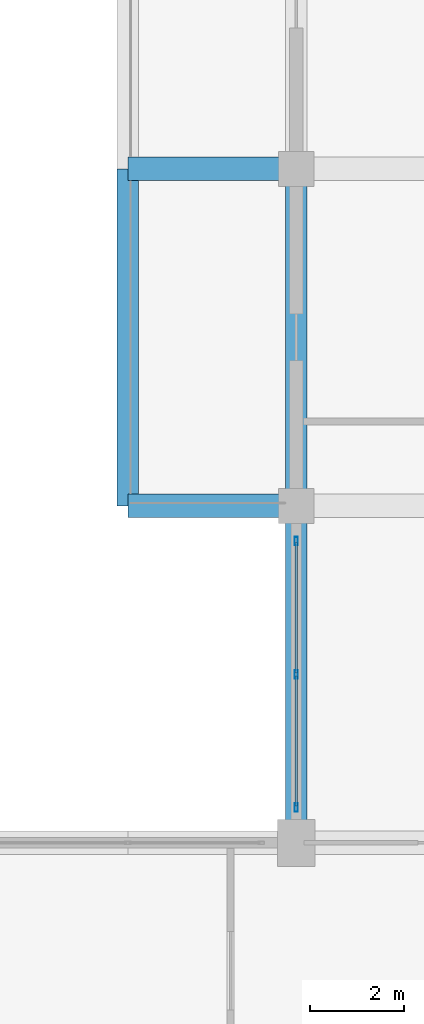
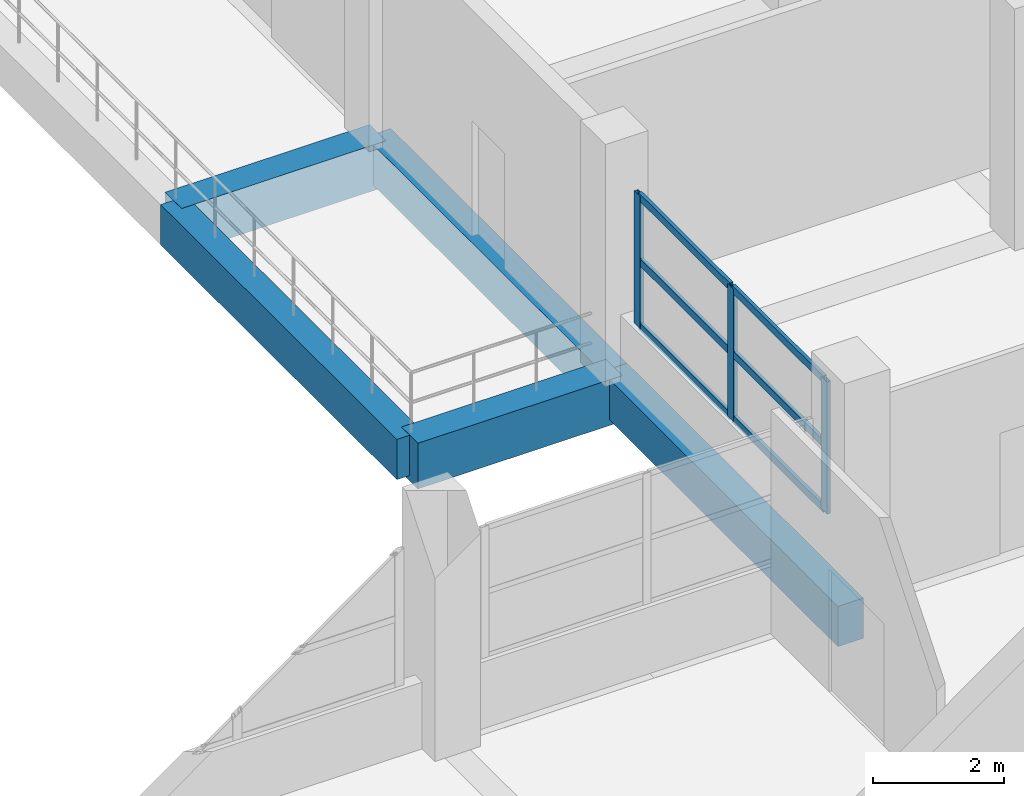
# One storey, part 16 of 141: 9 members, 5 beams, 1 element without a shape of its own.
"""IFC4 building model written with IfcOpenShell, lengths in metres."""

from ifc_helpers import new_model, si_unit, direction, frame, origin, origin_2d, place, context, subcontext, project, spatial, rectangle, hollow_rectangle, extrude, material, layer, layer_set, material_profile, profile_set, type_object, element, aggregate, save


model = new_model("IFC4")

# Units and contexts
model_context = context("Model", 3, precision=1e-05, world=origin(), true_north=direction((0.0, 1.0)))
body_context = subcontext(model_context, "Body", "Model", "MODEL_VIEW")
ifc_project = project(units=[si_unit("LENGTHUNIT", "METRE"), si_unit("AREAUNIT", "SQUARE_METRE"), si_unit("VOLUMEUNIT", "CUBIC_METRE"), si_unit("PLANEANGLEUNIT", "RADIAN"), si_unit("MASSUNIT", "GRAM", prefix="KILO")], contexts=[model_context])

# Site, building, storey
site_placement = place(None, origin())
site = spatial("IfcSite", under=ifc_project, at=site_placement, CompositionType="ELEMENT")
building_placement = place(site_placement, origin())
building = spatial("IfcBuilding", under=site, at=building_placement, Name="Seraya Terrace Polytechnic", CompositionType="ELEMENT")
storey_placement = place(building_placement, frame((0.0, 0.0, 14.39990234375)))
storey = spatial("IfcBuildingStorey", under=building, at=storey_placement, Name="L03", CompositionType="ELEMENT", Elevation=14.39990234375)

# Beams
ifc_material_1 = material(Name="Concrete C40/50", Category="concrete")
ifc_material_profile_1 = material_profile(ifc_material_1, rectangle(XDim=0.5, YDim=0.85009765625, at=origin_2d()), Name="RC 500x850")
ifc_profile_set_1 = profile_set([ifc_material_profile_1], Name="Concrete C40/50")
beam_type_1 = type_object("IfcBeamType", Name="BM-05", PredefinedType="BEAM", material=ifc_profile_set_1)
for number, where, z_axis, x_axis, name in (
    (1, (10.800048828125, 36.0, -0.4248046875), (1.0, 0.0, 0.0), (0.0, 1.0, 0.0), "Beam BM-05 L03 X (10.8..14.4, 36.0)"),
    (2, (10.800048828125, 43.199951171875, -0.4248046875), (1.0, 0.0, 0.0), (0.0, 1.0, 0.0), "Beam BM-05 L03 X (10.8..14.4, 43.2)"),
):
    element("IfcBeam", number, at=place(storey_placement, frame(where, z_axis=z_axis, x_axis=x_axis)), inside=storey, type_object=beam_type_1, Name=name, PredefinedType="BEAM", context=body_context, shape_type="SweptSolid", body=[
        extrude(rectangle(XDim=0.5, YDim=0.85009765625, at=origin_2d()), origin(), (0.0, 0.0, 1.0), 3.599853515625),
    ])
ifc_material_profile_2 = material_profile(ifc_material_1, rectangle(XDim=0.449951171875, YDim=0.75, at=origin_2d()), Name="RC 450x750")
ifc_profile_set_2 = profile_set([ifc_material_profile_2], Name="Concrete C40/50")
beam_type_2 = type_object("IfcBeamType", Name="BM-08", PredefinedType="BEAM", material=ifc_profile_set_2)
for number, where, z_axis, x_axis, name in (
    (3, (10.800048828125, 36.0, -0.375), (0.0, 1.0, 0.0), (-1.0, 0.0, 0.0), "Beam BM-08 L03 Y (10.8, 36.0..43.2)"),
    (4, (14.39990234375, 28.800048828125, -0.375), (0.0, 1.0, 0.0), (-1.0, 0.0, 0.0), "Beam BM-08 L03 Y (14.4, 28.8..36.0)"),
    (5, (14.39990234375, 36.0, -0.375), (0.0, 1.0, 0.0), (-1.0, 0.0, 0.0), "Beam BM-08 L03 Y (14.4, 36.0..43.2)"),
):
    element("IfcBeam", number, at=place(storey_placement, frame(where, z_axis=z_axis, x_axis=x_axis)), inside=storey, type_object=beam_type_2, Name=name, PredefinedType="BEAM", context=body_context, shape_type="SweptSolid", body=[
        extrude(rectangle(XDim=0.449951171875, YDim=0.75, at=origin_2d()), origin(), (0.0, 0.0, 1.0), 7.199951171875),
    ])

# Curtain wall, members
ifc_material_2 = material(Name="Anodised aluminium EN AW-6063 T6", Category="aluminium")
ifc_layer = layer(ifc_material_2, 0.179931640625, Name="CW-04")
ifc_layer_set = layer_set([ifc_layer], Name="Anodised aluminium EN AW-6063 T6")
curtain_wall_type = type_object("IfcCurtainWallType", Name="CW-04", PredefinedType="NOTDEFINED", material=ifc_layer_set)
curtain_wall_placement = place(storey_placement, origin())
curtain_wall = element("IfcCurtainWall", 6, at=curtain_wall_placement, inside=storey, type_object=curtain_wall_type, Name="Unitised curtain wall CW-04 (CW-L03-112)", PredefinedType="NOTDEFINED")
ifc_material_profile_3 = material_profile(ifc_material_2, hollow_rectangle(XDim=0.06494140625, YDim=0.179931640625, WallThickness=0.00390625, at=origin_2d()), Name="RHS 180x65x4.0")
ifc_profile_set_3 = profile_set([ifc_material_profile_3], Name="Anodised aluminium EN AW-6063 T6")
member_type_1 = type_object("IfcMemberType", Name="CWM-01", PredefinedType="MULLION", material=ifc_profile_set_3)
member_1_placement = place(storey_placement, frame((14.39990234375, 29.552490234375, 1.239990234375), z_axis=(0.0, 0.0, 1.0), x_axis=(-1.0, 0.0, 0.0)))
member_1 = element("IfcMember", 7, at=member_1_placement, type_object=member_type_1, Name="CW-04 mullion 1", PredefinedType="MULLION", context=body_context, shape_type="SweptSolid", body=[
    extrude(hollow_rectangle(XDim=0.06494140625, YDim=0.179931640625, WallThickness=0.00390625, at=origin_2d()), origin(), (0.0, 0.0, 1.0), 2.460205078125),
])
member_2_placement = place(storey_placement, frame((14.39990234375, 32.39990234375, 1.239990234375), z_axis=(0.0, 0.0, 1.0), x_axis=(-1.0, 0.0, 0.0)))
member_2 = element("IfcMember", 8, at=member_2_placement, type_object=member_type_1, Name="CW-04 mullion 2", PredefinedType="MULLION", context=body_context, shape_type="SweptSolid", body=[
    extrude(hollow_rectangle(XDim=0.06494140625, YDim=0.179931640625, WallThickness=0.00390625, at=origin_2d()), origin(), (0.0, 0.0, 1.0), 2.460205078125),
])
member_3_placement = place(storey_placement, frame((14.39990234375, 35.24755859375, 1.239990234375), z_axis=(0.0, 0.0, 1.0), x_axis=(-1.0, 0.0, 0.0)))
member_3 = element("IfcMember", 9, at=member_3_placement, type_object=member_type_1, Name="CW-04 mullion 3", PredefinedType="MULLION", context=body_context, shape_type="SweptSolid", body=[
    extrude(hollow_rectangle(XDim=0.06494140625, YDim=0.179931640625, WallThickness=0.00390625, at=origin_2d()), origin(), (0.0, 0.0, 1.0), 2.460205078125),
])
ifc_material_profile_4 = material_profile(ifc_material_2, hollow_rectangle(XDim=0.06005859375, YDim=0.139892578125, WallThickness=0.00341796875, at=origin_2d()), Name="RHS 140x60x3.5")
ifc_profile_set_4 = profile_set([ifc_material_profile_4], Name="Anodised aluminium EN AW-6063 T6")
member_type_2 = type_object("IfcMemberType", Name="CWT-01", PredefinedType="USERDEFINED", material=ifc_profile_set_4)
member_4_placement = place(storey_placement, frame((14.39990234375, 29.5849609375, 1.27001953125), z_axis=(0.0, 1.0, 0.0), x_axis=(-1.0, 0.0, 0.0)))
member_4 = element("IfcMember", 10, at=member_4_placement, type_object=member_type_2, Name="CW-04 transom 1.1", ObjectType="TRANSOM", PredefinedType="USERDEFINED", context=body_context, shape_type="SweptSolid", body=[
    extrude(hollow_rectangle(XDim=0.06005859375, YDim=0.139892578125, WallThickness=0.00341796875, at=origin_2d()), origin(), (0.0, 0.0, 1.0), 2.782470703125),
])
member_5_placement = place(storey_placement, frame((14.39990234375, 29.5849609375, 2.47021484375), z_axis=(0.0, 1.0, 0.0), x_axis=(-1.0, 0.0, 0.0)))
member_5 = element("IfcMember", 11, at=member_5_placement, type_object=member_type_2, Name="CW-04 transom 1.2", ObjectType="TRANSOM", PredefinedType="USERDEFINED", context=body_context, shape_type="SweptSolid", body=[
    extrude(hollow_rectangle(XDim=0.06005859375, YDim=0.139892578125, WallThickness=0.00341796875, at=origin_2d()), origin(), (0.0, 0.0, 1.0), 2.782470703125),
])
member_6_placement = place(storey_placement, frame((14.39990234375, 29.5849609375, 3.670166015625), z_axis=(0.0, 1.0, 0.0), x_axis=(-1.0, 0.0, 0.0)))
member_6 = element("IfcMember", 12, at=member_6_placement, type_object=member_type_2, Name="CW-04 transom 1.3", ObjectType="TRANSOM", PredefinedType="USERDEFINED", context=body_context, shape_type="SweptSolid", body=[
    extrude(hollow_rectangle(XDim=0.06005859375, YDim=0.139892578125, WallThickness=0.00341796875, at=origin_2d()), origin(), (0.0, 0.0, 1.0), 2.782470703125),
])
member_7_placement = place(storey_placement, frame((14.39990234375, 32.4326171875, 1.27001953125), z_axis=(0.0, 1.0, 0.0), x_axis=(-1.0, 0.0, 0.0)))
member_7 = element("IfcMember", 13, at=member_7_placement, type_object=member_type_2, Name="CW-04 transom 2.1", ObjectType="TRANSOM", PredefinedType="USERDEFINED", context=body_context, shape_type="SweptSolid", body=[
    extrude(hollow_rectangle(XDim=0.06005859375, YDim=0.139892578125, WallThickness=0.00341796875, at=origin_2d()), origin(), (0.0, 0.0, 1.0), 2.782470703125),
])
member_8_placement = place(storey_placement, frame((14.39990234375, 32.4326171875, 2.47021484375), z_axis=(0.0, 1.0, 0.0), x_axis=(-1.0, 0.0, 0.0)))
member_8 = element("IfcMember", 14, at=member_8_placement, type_object=member_type_2, Name="CW-04 transom 2.2", ObjectType="TRANSOM", PredefinedType="USERDEFINED", context=body_context, shape_type="SweptSolid", body=[
    extrude(hollow_rectangle(XDim=0.06005859375, YDim=0.139892578125, WallThickness=0.00341796875, at=origin_2d()), origin(), (0.0, 0.0, 1.0), 2.782470703125),
])
member_9_placement = place(storey_placement, frame((14.39990234375, 32.4326171875, 3.670166015625), z_axis=(0.0, 1.0, 0.0), x_axis=(-1.0, 0.0, 0.0)))
member_9 = element("IfcMember", 15, at=member_9_placement, type_object=member_type_2, Name="CW-04 transom 2.3", ObjectType="TRANSOM", PredefinedType="USERDEFINED", context=body_context, shape_type="SweptSolid", body=[
    extrude(hollow_rectangle(XDim=0.06005859375, YDim=0.139892578125, WallThickness=0.00341796875, at=origin_2d()), origin(), (0.0, 0.0, 1.0), 2.782470703125),
])
aggregate(curtain_wall, [member_1, member_2, member_3, member_4, member_5, member_6, member_7, member_8, member_9])

save(model, "model.ifc")
